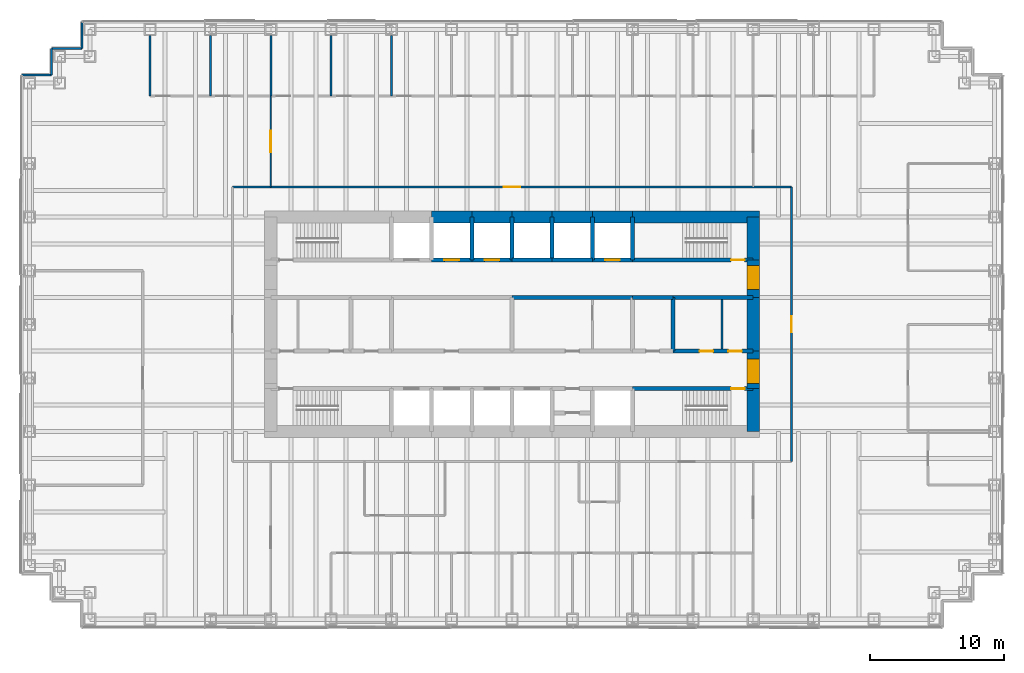
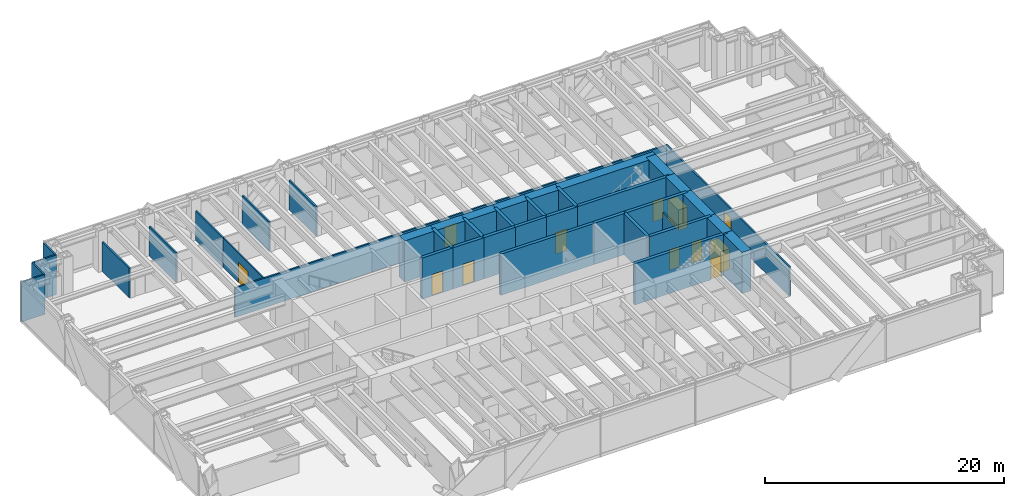
# One storey, part 13 of 16: 41 walls, 12 doors, 12 openings.
"""IFC4 building model written with IfcOpenShell, lengths in metres."""

from ifc_helpers import new_model, si_unit, direction, frame, frame_2d, origin, place, context, subcontext, project, spatial, rectangle, extrude, material, layer, layer_set, type_object, element, fill, save


model = new_model("IFC4")

# Units and contexts
model_context = context("Model", 3, precision=1e-05, world=origin(), true_north=direction((0.0, 1.0)))
body_context = subcontext(model_context, "Body", "Model", "MODEL_VIEW")
ifc_project = project(units=[si_unit("LENGTHUNIT", "METRE"), si_unit("AREAUNIT", "SQUARE_METRE"), si_unit("VOLUMEUNIT", "CUBIC_METRE"), si_unit("PLANEANGLEUNIT", "RADIAN"), si_unit("MASSUNIT", "GRAM", prefix="KILO")], contexts=[model_context])

# Site, building, storey
site_placement = place(None, origin())
site = spatial("IfcSite", under=ifc_project, at=site_placement, CompositionType="ELEMENT")
building_placement = place(site_placement, origin())
building = spatial("IfcBuilding", under=site, at=building_placement, Name="Rheinbord Bourse Tower", CompositionType="ELEMENT")
storey_placement = place(building_placement, frame((0.0, 0.0, 171.89990234375)))
storey = spatial("IfcBuildingStorey", under=building, at=storey_placement, Name="L38", CompositionType="ELEMENT", Elevation=171.89990234375)

# Wall, opening, door
ifc_material_1 = material(Name="Concrete C50/60", Category="concrete")
ifc_layer_1 = layer(ifc_material_1, 0.300048828125)
ifc_layer_set_1 = layer_set([ifc_layer_1], Name="CORE INNER WALL 300")
wall_type_1 = type_object("IfcWallType", Name="CORE INNER WALL 300", PredefinedType="SOLIDWALL", material=ifc_layer_set_1)
wall_1_placement = place(storey_placement, frame((45.0, 19.199951171875, 0.0), z_axis=(0.0, 0.0, 1.0), x_axis=(1.0, 0.0, 0.0)))
wall_1 = element("IfcWall", 1, at=wall_1_placement, inside=storey, type_object=wall_type_1, Name="Core wall A8 L38", PredefinedType="SOLIDWALL", context=body_context, shape_type="SweptSolid", body=[
    extrude(rectangle(XDim=9.0, YDim=0.300048828125, at=frame_2d((4.5, 0.0))), origin(), (0.0, 0.0, 1.0), 4.2001953125),
])
opening_1_placement = place(wall_1_placement, frame((7.35009765625, 0.0, 0.0)))
opening_1 = element("IfcOpeningElement", 2, at=opening_1_placement, cuts=wall_1, Name="Opening 3830", PredefinedType="OPENING", context=body_context, shape_type="SweptSolid", body=[
    extrude(rectangle(XDim=1.0, YDim=2.10009765625, at=frame_2d((0.5, 1.050048828125))), frame((0.0, 0.159912109375, 0.0), z_axis=(0.0, -1.0, 0.0), x_axis=(1.0, 0.0, 0.0)), (0.0, 0.0, 1.0), 0.320068359375),
])
ifc_material_2 = material(Name="Steel door", Category="steel")
door_type_1 = type_object("IfcDoorType", Name="DOOR 1000 EI30", OperationType="SINGLE_SWING_LEFT", PredefinedType="DOOR", material=ifc_material_2)
door_1_placement = place(opening_1_placement, origin())
door_1 = element("IfcDoor", 3, at=door_1_placement, inside=storey, type_object=door_type_1, Name="Stair door ST3 L38", OperationType="SINGLE_SWING_RIGHT", OverallHeight=2.10009765625, OverallWidth=1.0, PredefinedType="DOOR", context=body_context, shape_type="SweptSolid", body=[
    extrude(rectangle(XDim=1.0, YDim=2.10009765625, at=frame_2d((0.5, 1.050048828125))), frame((0.0, 0.02490234375, 0.0), z_axis=(0.0, -1.0, 0.0), x_axis=(1.0, 0.0, 0.0)), (0.0, 0.0, 1.0), 0.050048828125),
])
fill(opening_1, door_1)

wall_2_placement = place(storey_placement, frame((30.0, 28.800048828125, 0.0), z_axis=(0.0, 0.0, 1.0), x_axis=(1.0, 0.0, 0.0)))
wall_2 = element("IfcWall", 4, at=wall_2_placement, inside=storey, type_object=wall_type_1, Name="Core wall B3 L38", PredefinedType="SOLIDWALL", context=body_context, shape_type="SweptSolid", body=[
    extrude(rectangle(XDim=3.0, YDim=0.300048828125, at=frame_2d((1.5, 0.0))), origin(), (0.0, 0.0, 1.0), 4.2001953125),
])
opening_2_placement = place(wall_2_placement, frame((0.949951171875, 0.0, 0.0)))
opening_2 = element("IfcOpeningElement", 5, at=opening_2_placement, cuts=wall_2, Name="Opening PB4", PredefinedType="OPENING", context=body_context, shape_type="SweptSolid", body=[
    extrude(rectangle(XDim=1.10009765625, YDim=2.199951171875, at=frame_2d((0.550048828125, 1.10009765625))), frame((0.0, 0.159912109375, 0.0), z_axis=(0.0, -1.0, 0.0), x_axis=(1.0, 0.0, 0.0)), (0.0, 0.0, 1.0), 0.320068359375),
])
ifc_material_3 = material(Name="Steel landing door", Category="steel")
door_type_2 = type_object("IfcDoorType", Name="LIFT LANDING DOOR 1100", OperationType="DOUBLE_DOOR_SLIDING", PredefinedType="USERDEFINED", material=ifc_material_3)
door_2_placement = place(opening_2_placement, origin())
door_2 = element("IfcDoor", 6, at=door_2_placement, inside=storey, type_object=door_type_2, Name="Lift landing door PB4 L38", ObjectType="LIFT LANDING DOOR", OperationType="DOUBLE_DOOR_SLIDING", OverallHeight=2.199951171875, OverallWidth=1.10009765625, PredefinedType="USERDEFINED", context=body_context, shape_type="SweptSolid", body=[
    extrude(rectangle(XDim=1.10009765625, YDim=2.199951171875, at=frame_2d((0.550048828125, 1.10009765625))), frame((0.0, 0.02490234375, 0.0), z_axis=(0.0, -1.0, 0.0), x_axis=(1.0, 0.0, 0.0)), (0.0, 0.0, 1.0), 0.050048828125),
])
fill(opening_2, door_2)

wall_3_placement = place(storey_placement, frame((33.0, 28.800048828125, 0.0), z_axis=(0.0, 0.0, 1.0), x_axis=(1.0, 0.0, 0.0)))
wall_3 = element("IfcWall", 7, at=wall_3_placement, inside=storey, type_object=wall_type_1, Name="Core wall B4 L38", PredefinedType="SOLIDWALL", context=body_context, shape_type="SweptSolid", body=[
    extrude(rectangle(XDim=3.0, YDim=0.300048828125, at=frame_2d((1.5, 0.0))), origin(), (0.0, 0.0, 1.0), 4.2001953125),
])
opening_3_placement = place(wall_3_placement, frame((0.949951171875, 0.0, 0.0)))
opening_3 = element("IfcOpeningElement", 8, at=opening_3_placement, cuts=wall_3, Name="Opening PB5", PredefinedType="OPENING", context=body_context, shape_type="SweptSolid", body=[
    extrude(rectangle(XDim=1.10009765625, YDim=2.199951171875, at=frame_2d((0.550048828125, 1.10009765625))), frame((0.0, 0.159912109375, 0.0), z_axis=(0.0, -1.0, 0.0), x_axis=(1.0, 0.0, 0.0)), (0.0, 0.0, 1.0), 0.320068359375),
])
door_3_placement = place(opening_3_placement, origin())
door_3 = element("IfcDoor", 9, at=door_3_placement, inside=storey, type_object=door_type_2, Name="Lift landing door PB5 L38", ObjectType="LIFT LANDING DOOR", OperationType="DOUBLE_DOOR_SLIDING", OverallHeight=2.199951171875, OverallWidth=1.10009765625, PredefinedType="USERDEFINED", context=body_context, shape_type="SweptSolid", body=[
    extrude(rectangle(XDim=1.10009765625, YDim=2.199951171875, at=frame_2d((0.550048828125, 1.10009765625))), frame((0.0, 0.02490234375, 0.0), z_axis=(0.0, -1.0, 0.0), x_axis=(1.0, 0.0, 0.0)), (0.0, 0.0, 1.0), 0.050048828125),
])
fill(opening_3, door_3)

# Walls
for number, where, z_axis, x_axis, name in (
    (10, (36.0, 28.800048828125, 0.0), (0.0, 0.0, 1.0), (1.0, 0.0, 0.0), "Core wall B5 L38"),
    (11, (39.0, 28.800048828125, 0.0), (0.0, 0.0, 1.0), (1.0, 0.0, 0.0), "Core wall B6 L38"),
):
    element("IfcWall", number, at=place(storey_placement, frame(where, z_axis=z_axis, x_axis=x_axis)), inside=storey, type_object=wall_type_1, Name=name, PredefinedType="SOLIDWALL", context=body_context, shape_type="SweptSolid", body=[
        extrude(rectangle(XDim=3.0, YDim=0.300048828125, at=frame_2d((1.5, 0.0))), origin(), (0.0, 0.0, 1.0), 4.2001953125),
    ])

# Wall, opening, door
wall_4_placement = place(storey_placement, frame((42.0, 28.800048828125, 0.0), z_axis=(0.0, 0.0, 1.0), x_axis=(1.0, 0.0, 0.0)))
wall_4 = element("IfcWall", 12, at=wall_4_placement, inside=storey, type_object=wall_type_1, Name="Core wall B7 L38", PredefinedType="SOLIDWALL", context=body_context, shape_type="SweptSolid", body=[
    extrude(rectangle(XDim=3.0, YDim=0.300048828125, at=frame_2d((1.5, 0.0))), origin(), (0.0, 0.0, 1.0), 4.2001953125),
])
opening_4_placement = place(wall_4_placement, frame((0.949951171875, 0.0, 0.0)))
opening_4 = element("IfcOpeningElement", 13, at=opening_4_placement, cuts=wall_4, Name="Opening FL2", PredefinedType="OPENING", context=body_context, shape_type="SweptSolid", body=[
    extrude(rectangle(XDim=1.10009765625, YDim=2.199951171875, at=frame_2d((0.550048828125, 1.10009765625))), frame((0.0, 0.159912109375, 0.0), z_axis=(0.0, -1.0, 0.0), x_axis=(1.0, 0.0, 0.0)), (0.0, 0.0, 1.0), 0.320068359375),
])
door_4_placement = place(opening_4_placement, origin())
door_4 = element("IfcDoor", 14, at=door_4_placement, inside=storey, type_object=door_type_2, Name="Lift landing door FL2 L38", ObjectType="LIFT LANDING DOOR", OperationType="DOUBLE_DOOR_SLIDING", OverallHeight=2.199951171875, OverallWidth=1.10009765625, PredefinedType="USERDEFINED", context=body_context, shape_type="SweptSolid", body=[
    extrude(rectangle(XDim=1.10009765625, YDim=2.199951171875, at=frame_2d((0.550048828125, 1.10009765625))), frame((0.0, 0.02490234375, 0.0), z_axis=(0.0, -1.0, 0.0), x_axis=(1.0, 0.0, 0.0)), (0.0, 0.0, 1.0), 0.050048828125),
])
fill(opening_4, door_4)

wall_5_placement = place(storey_placement, frame((45.0, 28.800048828125, 0.0), z_axis=(0.0, 0.0, 1.0), x_axis=(1.0, 0.0, 0.0)))
wall_5 = element("IfcWall", 15, at=wall_5_placement, inside=storey, type_object=wall_type_1, Name="Core wall B8 L38", PredefinedType="SOLIDWALL", context=body_context, shape_type="SweptSolid", body=[
    extrude(rectangle(XDim=9.0, YDim=0.300048828125, at=frame_2d((4.5, 0.0))), origin(), (0.0, 0.0, 1.0), 4.2001953125),
])
opening_5_placement = place(wall_5_placement, frame((7.35009765625, 0.0, 0.0)))
opening_5 = element("IfcOpeningElement", 16, at=opening_5_placement, cuts=wall_5, Name="Opening 3840", PredefinedType="OPENING", context=body_context, shape_type="SweptSolid", body=[
    extrude(rectangle(XDim=1.0, YDim=2.10009765625, at=frame_2d((0.5, 1.050048828125))), frame((0.0, 0.159912109375, 0.0), z_axis=(0.0, -1.0, 0.0), x_axis=(1.0, 0.0, 0.0)), (0.0, 0.0, 1.0), 0.320068359375),
])
door_5_placement = place(opening_5_placement, origin())
door_5 = element("IfcDoor", 17, at=door_5_placement, inside=storey, type_object=door_type_1, Name="Stair door ST4 L38", OperationType="SINGLE_SWING_RIGHT", OverallHeight=2.10009765625, OverallWidth=1.0, PredefinedType="DOOR", context=body_context, shape_type="SweptSolid", body=[
    extrude(rectangle(XDim=1.0, YDim=2.10009765625, at=frame_2d((0.5, 1.050048828125))), frame((0.0, 0.02490234375, 0.0), z_axis=(0.0, -1.0, 0.0), x_axis=(1.0, 0.0, 0.0)), (0.0, 0.0, 1.0), 0.050048828125),
])
fill(opening_5, door_5)

# Wall, openings, doors
wall_6_placement = place(storey_placement, frame((48.0, 22.0, 0.0), z_axis=(0.0, 0.0, 1.0), x_axis=(1.0, 0.0, 0.0)))
wall_6 = element("IfcWall", 18, at=wall_6_placement, inside=storey, type_object=wall_type_1, Name="Core wall C6 L38", PredefinedType="SOLIDWALL", context=body_context, shape_type="SweptSolid", body=[
    extrude(rectangle(XDim=6.0, YDim=0.300048828125, at=frame_2d((3.0, 0.0))), origin(), (0.0, 0.0, 1.0), 4.2001953125),
])
opening_6_placement = place(wall_6_placement, frame((2.0, 0.0, 0.0)))
opening_6 = element("IfcOpeningElement", 19, at=opening_6_placement, cuts=wall_6, Name="Opening 38R6", PredefinedType="OPENING", context=body_context, shape_type="SweptSolid", body=[
    extrude(rectangle(XDim=1.0, YDim=2.10009765625, at=frame_2d((0.5, 1.050048828125))), frame((0.0, 0.159912109375, 0.0), z_axis=(0.0, -1.0, 0.0), x_axis=(1.0, 0.0, 0.0)), (0.0, 0.0, 1.0), 0.320068359375),
])
opening_7_placement = place(wall_6_placement, frame((4.14990234375, 0.0, 0.0)))
opening_7 = element("IfcOpeningElement", 20, at=opening_7_placement, cuts=wall_6, Name="Opening 38R10", PredefinedType="OPENING", context=body_context, shape_type="SweptSolid", body=[
    extrude(rectangle(XDim=1.0, YDim=2.10009765625, at=frame_2d((0.5, 1.050048828125))), frame((0.0, 0.159912109375, 0.0), z_axis=(0.0, -1.0, 0.0), x_axis=(1.0, 0.0, 0.0)), (0.0, 0.0, 1.0), 0.320068359375),
])
door_6_placement = place(opening_7_placement, origin())
door_6 = element("IfcDoor", 21, at=door_6_placement, inside=storey, type_object=door_type_1, Name="Cleaner's store door L38", OperationType="SINGLE_SWING_RIGHT", OverallHeight=2.10009765625, OverallWidth=1.0, PredefinedType="DOOR", context=body_context, shape_type="SweptSolid", body=[
    extrude(rectangle(XDim=1.0, YDim=2.10009765625, at=frame_2d((0.5, 1.050048828125))), frame((0.0, 0.02490234375, 0.0), z_axis=(0.0, -1.0, 0.0), x_axis=(1.0, 0.0, 0.0)), (0.0, 0.0, 1.0), 0.050048828125),
])
fill(opening_7, door_6)
ifc_material_4 = material(Name="Timber door", Category="wood")
door_type_3 = type_object("IfcDoorType", Name="DOOR 1000 WC", OperationType="SINGLE_SWING_LEFT", PredefinedType="DOOR", material=ifc_material_4)
door_7_placement = place(opening_6_placement, origin())
door_7 = element("IfcDoor", 22, at=door_7_placement, inside=storey, type_object=door_type_3, Name="WC women door L38", OperationType="SINGLE_SWING_LEFT", OverallHeight=2.10009765625, OverallWidth=1.0, PredefinedType="DOOR", context=body_context, shape_type="SweptSolid", body=[
    extrude(rectangle(XDim=1.0, YDim=2.10009765625, at=frame_2d((0.5, 1.050048828125))), frame((0.0, 0.02490234375, 0.0), z_axis=(0.0, -1.0, 0.0), x_axis=(1.0, 0.0, 0.0)), (0.0, 0.0, 1.0), 0.050048828125),
])
fill(opening_6, door_7)

# Walls
wall_7_placement = place(storey_placement, frame((36.0, 26.0, 0.0), z_axis=(0.0, 0.0, 1.0), x_axis=(1.0, 0.0, 0.0)))
element("IfcWall", 23, at=wall_7_placement, inside=storey, type_object=wall_type_1, Name="Core wall D4 L38", PredefinedType="SOLIDWALL", context=body_context, shape_type="SweptSolid", body=[
    extrude(rectangle(XDim=9.0, YDim=0.300048828125, at=frame_2d((4.5, 0.0))), origin(), (0.0, 0.0, 1.0), 4.2001953125),
])
wall_8_placement = place(storey_placement, frame((45.0, 26.0, 0.0), z_axis=(0.0, 0.0, 1.0), x_axis=(1.0, 0.0, 0.0)))
element("IfcWall", 24, at=wall_8_placement, inside=storey, type_object=wall_type_1, Name="Core wall D5 L38", PredefinedType="SOLIDWALL", context=body_context, shape_type="SweptSolid", body=[
    extrude(rectangle(XDim=3.0, YDim=0.300048828125, at=frame_2d((1.5, 0.0))), origin(), (0.0, 0.0, 1.0), 4.2001953125),
])
wall_9_placement = place(storey_placement, frame((48.0, 26.0, 0.0), z_axis=(0.0, 0.0, 1.0), x_axis=(1.0, 0.0, 0.0)))
element("IfcWall", 25, at=wall_9_placement, inside=storey, type_object=wall_type_1, Name="Core wall D6 L38", PredefinedType="SOLIDWALL", context=body_context, shape_type="SweptSolid", body=[
    extrude(rectangle(XDim=6.0, YDim=0.300048828125, at=frame_2d((3.0, 0.0))), origin(), (0.0, 0.0, 1.0), 4.2001953125),
])
for number, where, z_axis, x_axis, name in (
    (26, (33.0, 28.800048828125, 0.0), (0.0, 0.0, 1.0), (0.0, 1.0, 0.0), "Core wall NX33 L38"),
    (27, (36.0, 28.800048828125, 0.0), (0.0, 0.0, 1.0), (0.0, 1.0, 0.0), "Core wall NX36 L38"),
    (28, (39.0, 28.800048828125, 0.0), (0.0, 0.0, 1.0), (0.0, 1.0, 0.0), "Core wall NX39 L38"),
    (29, (42.0, 28.800048828125, 0.0), (0.0, 0.0, 1.0), (0.0, 1.0, 0.0), "Core wall NX42 L38"),
    (30, (45.0, 28.800048828125, 0.0), (0.0, 0.0, 1.0), (0.0, 1.0, 0.0), "Core wall NX45 L38"),
):
    element("IfcWall", number, at=place(storey_placement, frame(where, z_axis=z_axis, x_axis=x_axis)), inside=storey, type_object=wall_type_1, Name=name, PredefinedType="SOLIDWALL", context=body_context, shape_type="SweptSolid", body=[
        extrude(rectangle(XDim=3.199951171875, YDim=0.300048828125, at=frame_2d((1.60009765625, 0.0))), origin(), (0.0, 0.0, 1.0), 4.2001953125),
    ])
wall_10_placement = place(storey_placement, frame((48.0, 22.0, 0.0), z_axis=(0.0, 0.0, 1.0), x_axis=(0.0, 1.0, 0.0)))
element("IfcWall", 31, at=wall_10_placement, inside=storey, type_object=wall_type_1, Name="Core wall MX48 L38", PredefinedType="SOLIDWALL", context=body_context, shape_type="SweptSolid", body=[
    extrude(rectangle(XDim=4.0, YDim=0.300048828125, at=frame_2d((2.0, 0.0))), origin(), (0.0, 0.0, 1.0), 4.2001953125),
])
ifc_material_5 = material(Name="Gypsum board fire partition", Category="gypsum board")
ifc_layer_2 = layer(ifc_material_5, 0.14990234375)
ifc_layer_set_2 = layer_set([ifc_layer_2], Name="CORE PARTITION 150 EI30")
wall_type_2 = type_object("IfcWallType", Name="CORE PARTITION 150 EI30", PredefinedType="PARTITIONING", material=ifc_layer_set_2)
wall_11_placement = place(storey_placement, frame((51.675048828125, 22.14990234375, 0.0), z_axis=(0.0, 0.0, 1.0), x_axis=(0.0, 1.0, 0.0)))
element("IfcWall", 32, at=wall_11_placement, inside=storey, type_object=wall_type_2, Name="Core partition L38-3", PredefinedType="PARTITIONING", context=body_context, shape_type="SweptSolid", body=[
    extrude(rectangle(XDim=3.7001953125, YDim=0.14990234375, at=frame_2d((1.85009765625, 0.0))), origin(), (0.0, 0.0, 1.0), 3.0),
])
ifc_material_6 = material(Name="Concrete C50/60", Category="concrete")
ifc_layer_3 = layer(ifc_material_6, 0.89990234375)
ifc_layer_set_3 = layer_set([ifc_layer_3], Name="CORE WALL 900")
wall_type_3 = type_object("IfcWallType", Name="CORE WALL 900", PredefinedType="SHEAR", material=ifc_layer_set_3)
wall_12_placement = place(storey_placement, frame((54.449951171875, 32.0, 0.0), z_axis=(0.0, 0.0, 1.0), x_axis=(-1.0, 0.0, 0.0)))
element("IfcWall", 33, at=wall_12_placement, inside=storey, type_object=wall_type_3, Name="Core wall N1 L38", PredefinedType="SHEAR", context=body_context, shape_type="SweptSolid", body=[
    extrude(rectangle(XDim=9.449951171875, YDim=0.89990234375, at=frame_2d((4.72509765625, 0.0))), origin(), (0.0, 0.0, 1.0), 4.2001953125),
])
for number, where, z_axis, x_axis, name in (
    (34, (45.0, 32.0, 0.0), (0.0, 0.0, 1.0), (-1.0, 0.0, 0.0), "Core wall N2 L38"),
    (35, (42.0, 32.0, 0.0), (0.0, 0.0, 1.0), (-1.0, 0.0, 0.0), "Core wall N3 L38"),
    (36, (39.0, 32.0, 0.0), (0.0, 0.0, 1.0), (-1.0, 0.0, 0.0), "Core wall N4 L38"),
    (37, (36.0, 32.0, 0.0), (0.0, 0.0, 1.0), (-1.0, 0.0, 0.0), "Core wall N5 L38"),
    (38, (33.0, 32.0, 0.0), (0.0, 0.0, 1.0), (-1.0, 0.0, 0.0), "Core wall N6 L38"),
):
    element("IfcWall", number, at=place(storey_placement, frame(where, z_axis=z_axis, x_axis=x_axis)), inside=storey, type_object=wall_type_3, Name=name, PredefinedType="SHEAR", context=body_context, shape_type="SweptSolid", body=[
        extrude(rectangle(XDim=3.0, YDim=0.89990234375, at=frame_2d((1.5, 0.0))), origin(), (0.0, 0.0, 1.0), 4.2001953125),
    ])
wall_13_placement = place(storey_placement, frame((54.0, 16.0, 0.0), z_axis=(0.0, 0.0, 1.0), x_axis=(0.0, 1.0, 0.0)))
element("IfcWall", 39, at=wall_13_placement, inside=storey, type_object=wall_type_3, Name="Core wall E1 L38", PredefinedType="SHEAR", context=body_context, shape_type="SweptSolid", body=[
    extrude(rectangle(XDim=3.199951171875, YDim=0.89990234375, at=frame_2d((1.60009765625, 0.0))), origin(), (0.0, 0.0, 1.0), 4.2001953125),
])

# Wall, opening, door
wall_14_placement = place(storey_placement, frame((54.0, 19.199951171875, 0.0), z_axis=(0.0, 0.0, 1.0), x_axis=(0.0, 1.0, 0.0)))
wall_14 = element("IfcWall", 40, at=wall_14_placement, inside=storey, type_object=wall_type_3, Name="Core wall E2 L38", PredefinedType="SHEAR", context=body_context, shape_type="SweptSolid", body=[
    extrude(rectangle(XDim=2.800048828125, YDim=0.89990234375, at=frame_2d((1.39990234375, 0.0))), origin(), (0.0, 0.0, 1.0), 4.2001953125),
])
opening_8_placement = place(wall_14_placement, frame((0.39990234375, 0.0, 0.0)))
opening_8 = element("IfcOpeningElement", 41, at=opening_8_placement, cuts=wall_14, Name="Opening 38L3", PredefinedType="OPENING", context=body_context, shape_type="SweptSolid", body=[
    extrude(rectangle(XDim=1.800048828125, YDim=2.10009765625, at=frame_2d((0.89990234375, 1.050048828125))), frame((0.0, 0.4599609375, 0.0), z_axis=(0.0, -1.0, 0.0), x_axis=(1.0, 0.0, 0.0)), (0.0, 0.0, 1.0), 0.919921875),
])
ifc_material_7 = material(Name="Steel door", Category="steel")
door_type_4 = type_object("IfcDoorType", Name="DOOR 1800 EI30 DOUBLE", OperationType="DOUBLE_DOOR_DOUBLE_SWING", PredefinedType="DOOR", material=ifc_material_7)
door_8_placement = place(opening_8_placement, origin())
door_8 = element("IfcDoor", 42, at=door_8_placement, inside=storey, type_object=door_type_4, Name="Lobby door 3 L38", OperationType="SINGLE_SWING_LEFT", OverallHeight=2.10009765625, OverallWidth=1.800048828125, PredefinedType="DOOR", context=body_context, shape_type="SweptSolid", body=[
    extrude(rectangle(XDim=1.800048828125, YDim=2.10009765625, at=frame_2d((0.89990234375, 1.050048828125))), frame((0.0, 0.44970703125, 0.0), z_axis=(0.0, -1.0, 0.0), x_axis=(1.0, 0.0, 0.0)), (0.0, 0.0, 1.0), 0.8994140625),
])
fill(opening_8, door_8)

# Wall
wall_15_placement = place(storey_placement, frame((54.0, 22.0, 0.0), z_axis=(0.0, 0.0, 1.0), x_axis=(0.0, 1.0, 0.0)))
element("IfcWall", 43, at=wall_15_placement, inside=storey, type_object=wall_type_3, Name="Core wall E3 L38", PredefinedType="SHEAR", context=body_context, shape_type="SweptSolid", body=[
    extrude(rectangle(XDim=4.0, YDim=0.89990234375, at=frame_2d((2.0, 0.0))), origin(), (0.0, 0.0, 1.0), 4.2001953125),
])

# Wall, opening, door
wall_16_placement = place(storey_placement, frame((54.0, 26.0, 0.0), z_axis=(0.0, 0.0, 1.0), x_axis=(0.0, 1.0, 0.0)))
wall_16 = element("IfcWall", 44, at=wall_16_placement, inside=storey, type_object=wall_type_3, Name="Core wall E4 L38", PredefinedType="SHEAR", context=body_context, shape_type="SweptSolid", body=[
    extrude(rectangle(XDim=2.800048828125, YDim=0.89990234375, at=frame_2d((1.39990234375, 0.0))), origin(), (0.0, 0.0, 1.0), 4.2001953125),
])
opening_9_placement = place(wall_16_placement, frame((0.60009765625, 0.0, 0.0)))
opening_9 = element("IfcOpeningElement", 45, at=opening_9_placement, cuts=wall_16, Name="Opening 38L4", PredefinedType="OPENING", context=body_context, shape_type="SweptSolid", body=[
    extrude(rectangle(XDim=1.800048828125, YDim=2.10009765625, at=frame_2d((0.89990234375, 1.050048828125))), frame((0.0, 0.4599609375, 0.0), z_axis=(0.0, -1.0, 0.0), x_axis=(1.0, 0.0, 0.0)), (0.0, 0.0, 1.0), 0.919921875),
])
door_9_placement = place(opening_9_placement, origin())
door_9 = element("IfcDoor", 46, at=door_9_placement, inside=storey, type_object=door_type_4, Name="Lobby door 4 L38", OperationType="SINGLE_SWING_LEFT", OverallHeight=2.10009765625, OverallWidth=1.800048828125, PredefinedType="DOOR", context=body_context, shape_type="SweptSolid", body=[
    extrude(rectangle(XDim=1.800048828125, YDim=2.10009765625, at=frame_2d((0.89990234375, 1.050048828125))), frame((0.0, 0.44970703125, 0.0), z_axis=(0.0, -1.0, 0.0), x_axis=(1.0, 0.0, 0.0)), (0.0, 0.0, 1.0), 0.8994140625),
])
fill(opening_9, door_9)

# Walls
wall_17_placement = place(storey_placement, frame((54.0, 28.800048828125, 0.0), z_axis=(0.0, 0.0, 1.0), x_axis=(0.0, 1.0, 0.0)))
element("IfcWall", 47, at=wall_17_placement, inside=storey, type_object=wall_type_3, Name="Core wall E5 L38", PredefinedType="SHEAR", context=body_context, shape_type="SweptSolid", body=[
    extrude(rectangle(XDim=3.199951171875, YDim=0.89990234375, at=frame_2d((1.60009765625, 0.0))), origin(), (0.0, 0.0, 1.0), 4.2001953125),
])
ifc_material_8 = material(Name="Black metal rainscreen panel", Category="aluminium")
ifc_layer_4 = layer(ifc_material_8, 0.14990234375)
ifc_layer_set_4 = layer_set([ifc_layer_4], Name="CORNER PIER CLADDING 150")
wall_type_4 = type_object("IfcWallType", Name="CORNER PIER CLADDING 150", PredefinedType="ELEMENTEDWALL", material=ifc_layer_set_4)
wall_18_placement = place(storey_placement, frame((3.89990234375, 46.60009765625, 0.0), z_axis=(0.0, 0.0, 1.0), x_axis=(0.0, -1.0, 0.0)))
element("IfcWall", 48, at=wall_18_placement, inside=storey, type_object=wall_type_4, Name="Corner pier cladding L38 12", PredefinedType="ELEMENTEDWALL", context=body_context, shape_type="SweptSolid", body=[
    extrude(rectangle(XDim=2.0, YDim=0.14990234375, at=frame_2d((1.0, 0.0))), origin(), (0.0, 0.0, 1.0), 4.0400390625),
])
wall_19_placement = place(storey_placement, frame((3.89990234375, 44.60009765625, 0.0), z_axis=(0.0, 0.0, 1.0), x_axis=(-1.0, 0.0, 0.0)))
element("IfcWall", 49, at=wall_19_placement, inside=storey, type_object=wall_type_4, Name="Corner pier cladding L38 13", PredefinedType="ELEMENTEDWALL", context=body_context, shape_type="SweptSolid", body=[
    extrude(rectangle(XDim=2.25, YDim=0.14990234375, at=frame_2d((1.125, 0.0))), origin(), (0.0, 0.0, 1.0), 4.0400390625),
])
wall_20_placement = place(storey_placement, frame((1.64990234375, 44.60009765625, 0.0), z_axis=(0.0, 0.0, 1.0), x_axis=(0.0, -1.0, 0.0)))
element("IfcWall", 50, at=wall_20_placement, inside=storey, type_object=wall_type_4, Name="Corner pier cladding L38 14", PredefinedType="ELEMENTEDWALL", context=body_context, shape_type="SweptSolid", body=[
    extrude(rectangle(XDim=2.0, YDim=0.14990234375, at=frame_2d((1.0, 0.0))), origin(), (0.0, 0.0, 1.0), 4.0400390625),
])
wall_21_placement = place(storey_placement, frame((1.64990234375, 42.60009765625, 0.0), z_axis=(0.0, 0.0, 1.0), x_axis=(-1.0, 0.0, 0.0)))
element("IfcWall", 51, at=wall_21_placement, inside=storey, type_object=wall_type_4, Name="Corner pier cladding L38 15", PredefinedType="ELEMENTEDWALL", context=body_context, shape_type="SweptSolid", body=[
    extrude(rectangle(XDim=2.25, YDim=0.14990234375, at=frame_2d((1.125, 0.0))), origin(), (0.0, 0.0, 1.0), 4.0400390625),
])

# Wall, opening, door
ifc_material_9 = material(Name="Gypsum board corridor partition", Category="gypsum board")
ifc_layer_5 = layer(ifc_material_9, 0.14990234375)
ifc_layer_set_5 = layer_set([ifc_layer_5], Name="CORRIDOR PARTITION 150 EI30")
wall_type_5 = type_object("IfcWallType", Name="CORRIDOR PARTITION 150 EI30", PredefinedType="PARTITIONING", material=ifc_layer_set_5)
wall_22_placement = place(storey_placement, frame((15.14990234375, 34.25, 0.0), z_axis=(0.0, 0.0, 1.0), x_axis=(1.0, 0.0, 0.0)))
wall_22 = element("IfcWall", 52, at=wall_22_placement, inside=storey, type_object=wall_type_5, Name="Partition L38-12", PredefinedType="PARTITIONING", context=body_context, shape_type="SweptSolid", body=[
    extrude(rectangle(XDim=41.7001953125, YDim=0.14990234375, at=frame_2d((20.85009765625, 0.0))), origin(), (0.0, 0.0, 1.0), 3.0),
])
opening_10_placement = place(wall_22_placement, frame((20.25, 0.0, 0.0)))
opening_10 = element("IfcOpeningElement", 53, at=opening_10_placement, cuts=wall_22, Name="Opening 38D33", PredefinedType="OPENING", context=body_context, shape_type="SweptSolid", body=[
    extrude(rectangle(XDim=1.199951171875, YDim=2.10009765625, at=frame_2d((0.60009765625, 1.050048828125))), frame((0.0, 0.0849609375, 0.0), z_axis=(0.0, -1.0, 0.0), x_axis=(1.0, 0.0, 0.0)), (0.0, 0.0, 1.0), 0.169921875),
])
ifc_material_10 = material(Name="Timber fire door", Category="wood")
door_type_5 = type_object("IfcDoorType", Name="SUITE ENTRANCE DOOR 1200 EI30", OperationType="SINGLE_SWING_LEFT", PredefinedType="DOOR", material=ifc_material_10)
door_10_placement = place(opening_10_placement, origin())
door_10 = element("IfcDoor", 54, at=door_10_placement, inside=storey, type_object=door_type_5, Name="Suite entrance 4 door L38", OperationType="SINGLE_SWING_LEFT", OverallHeight=2.10009765625, OverallWidth=1.199951171875, PredefinedType="DOOR", context=body_context, shape_type="SweptSolid", body=[
    extrude(rectangle(XDim=1.199951171875, YDim=2.10009765625, at=frame_2d((0.60009765625, 1.050048828125))), frame((0.0, 0.02490234375, 0.0), z_axis=(0.0, -1.0, 0.0), x_axis=(1.0, 0.0, 0.0)), (0.0, 0.0, 1.0), 0.050048828125),
])
fill(opening_10, door_10)

wall_23_placement = place(storey_placement, frame((56.85009765625, 13.75, 0.0), z_axis=(0.0, 0.0, 1.0), x_axis=(0.0, 1.0, 0.0)))
wall_23 = element("IfcWall", 55, at=wall_23_placement, inside=storey, type_object=wall_type_5, Name="Partition L38-44", PredefinedType="PARTITIONING", context=body_context, shape_type="SweptSolid", body=[
    extrude(rectangle(XDim=20.5, YDim=0.14990234375, at=frame_2d((10.25, 0.0))), origin(), (0.0, 0.0, 1.0), 3.0),
])
opening_11_placement = place(wall_23_placement, frame((9.64990234375, 0.0, 0.0)))
opening_11 = element("IfcOpeningElement", 56, at=opening_11_placement, cuts=wall_23, Name="Opening 38D31", PredefinedType="OPENING", context=body_context, shape_type="SweptSolid", body=[
    extrude(rectangle(XDim=1.199951171875, YDim=2.10009765625, at=frame_2d((0.60009765625, 1.050048828125))), frame((0.0, 0.0849609375, 0.0), z_axis=(0.0, -1.0, 0.0), x_axis=(1.0, 0.0, 0.0)), (0.0, 0.0, 1.0), 0.169921875),
])
door_11_placement = place(opening_11_placement, origin())
door_11 = element("IfcDoor", 57, at=door_11_placement, inside=storey, type_object=door_type_5, Name="Suite entrance 2 door L38", OperationType="SINGLE_SWING_LEFT", OverallHeight=2.10009765625, OverallWidth=1.199951171875, PredefinedType="DOOR", context=body_context, shape_type="SweptSolid", body=[
    extrude(rectangle(XDim=1.199951171875, YDim=2.10009765625, at=frame_2d((0.60009765625, 1.050048828125))), frame((0.0, 0.02490234375, 0.0), z_axis=(0.0, -1.0, 0.0), x_axis=(1.0, 0.0, 0.0)), (0.0, 0.0, 1.0), 0.050048828125),
])
fill(opening_11, door_11)

ifc_material_11 = material(Name="Toughened laminated glass partition", Category="glass")
ifc_layer_6 = layer(ifc_material_11, 0.10009765625)
ifc_layer_set_6 = layer_set([ifc_layer_6], Name="GLAZED PARTITION 100")
wall_type_6 = type_object("IfcWallType", Name="GLAZED PARTITION 100", PredefinedType="PARTITIONING", material=ifc_layer_set_6)
wall_24_placement = place(storey_placement, frame((18.0, 34.25, 0.0), z_axis=(0.0, 0.0, 1.0), x_axis=(0.0, 1.0, 0.0)))
wall_24 = element("IfcWall", 58, at=wall_24_placement, inside=storey, type_object=wall_type_6, Name="Partition L38-20", PredefinedType="PARTITIONING", context=body_context, shape_type="SweptSolid", body=[
    extrude(rectangle(XDim=6.800048828125, YDim=0.10009765625, at=frame_2d((3.39990234375, 0.0))), origin(), (0.0, 0.0, 1.0), 3.0),
])
opening_12_placement = place(wall_24_placement, frame((2.60009765625, 0.0, 0.0)))
opening_12 = element("IfcOpeningElement", 59, at=opening_12_placement, cuts=wall_24, Name="Opening 38D27", PredefinedType="OPENING", context=body_context, shape_type="SweptSolid", body=[
    extrude(rectangle(XDim=1.60009765625, YDim=2.10009765625, at=frame_2d((0.800048828125, 1.050048828125))), frame((0.0, 0.06005859375, 0.0), z_axis=(0.0, -1.0, 0.0), x_axis=(1.0, 0.0, 0.0)), (0.0, 0.0, 1.0), 0.1201171875),
])
ifc_material_12 = material(Name="Timber door", Category="wood")
door_type_6 = type_object("IfcDoorType", Name="DOUBLE ROOM DOOR 1600", OperationType="DOUBLE_DOOR_DOUBLE_SWING", PredefinedType="DOOR", material=ifc_material_12)
door_12_placement = place(opening_12_placement, origin())
door_12 = element("IfcDoor", 60, at=door_12_placement, inside=storey, type_object=door_type_6, Name="Open area door L38", OperationType="SINGLE_SWING_LEFT", OverallHeight=2.10009765625, OverallWidth=1.60009765625, PredefinedType="DOOR", context=body_context, shape_type="SweptSolid", body=[
    extrude(rectangle(XDim=1.60009765625, YDim=2.10009765625, at=frame_2d((0.800048828125, 1.050048828125))), frame((0.0, 0.02490234375, 0.0), z_axis=(0.0, -1.0, 0.0), x_axis=(1.0, 0.0, 0.0)), (0.0, 0.0, 1.0), 0.050048828125),
])
fill(opening_12, door_12)

# Walls
ifc_material_13 = material(Name="Gypsum board partition", Category="gypsum board")
ifc_layer_7 = layer(ifc_material_13, 0.14990234375)
ifc_layer_set_7 = layer_set([ifc_layer_7], Name="PARTITION 150")
wall_type_7 = type_object("IfcWallType", Name="PARTITION 150", PredefinedType="PARTITIONING", material=ifc_layer_set_7)
for number, where, z_axis, x_axis, name in (
    (61, (9.0, 41.050048828125, 0.0), (0.0, 0.0, 1.0), (0.0, 1.0, 0.0), "Partition L38-16"),
    (62, (13.5, 41.050048828125, 0.0), (0.0, 0.0, 1.0), (0.0, 1.0, 0.0), "Partition L38-17"),
    (63, (18.0, 41.050048828125, 0.0), (0.0, 0.0, 1.0), (0.0, 1.0, 0.0), "Partition L38-21"),
    (64, (22.5, 41.050048828125, 0.0), (0.0, 0.0, 1.0), (0.0, 1.0, 0.0), "Partition L38-23"),
    (65, (27.0, 41.050048828125, 0.0), (0.0, 0.0, 1.0), (0.0, 1.0, 0.0), "Partition L38-26"),
):
    element("IfcWall", number, at=place(storey_placement, frame(where, z_axis=z_axis, x_axis=x_axis)), inside=storey, type_object=wall_type_7, Name=name, PredefinedType="PARTITIONING", context=body_context, shape_type="SweptSolid", body=[
        extrude(rectangle(XDim=4.5, YDim=0.14990234375, at=frame_2d((2.25, 0.0))), origin(), (0.0, 0.0, 1.0), 3.0),
    ])

save(model, "model.ifc")
